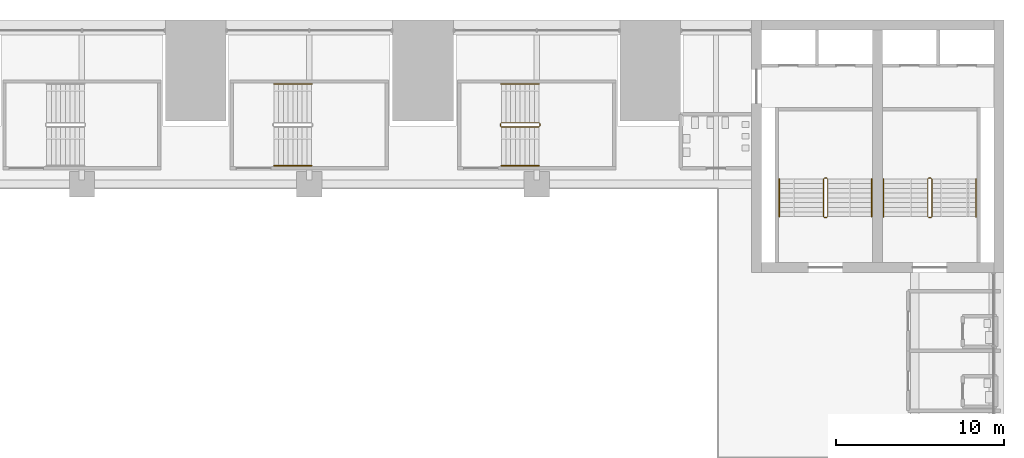
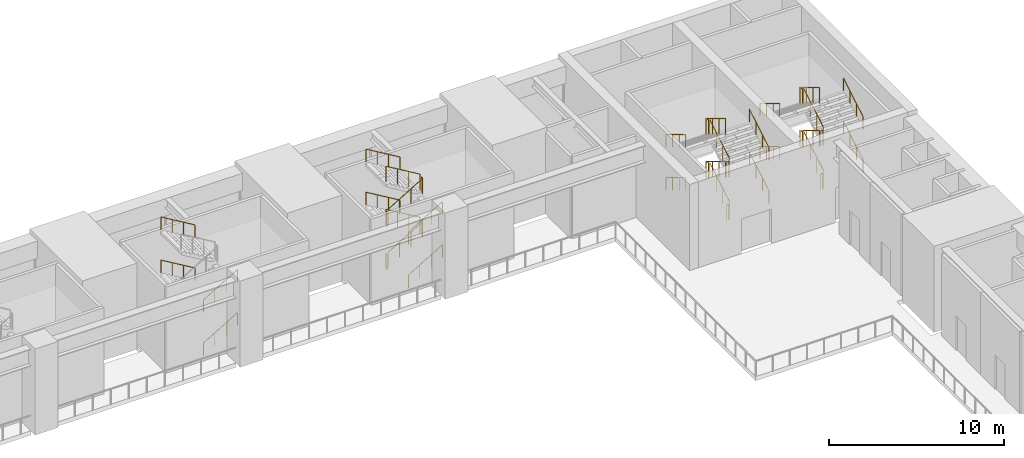
# One storey, part 42 of 43: 7 railings.
"""IFC4 building model written with IfcOpenShell, lengths in metres."""

import ifcopenshell
import ifcopenshell.guid

model = None  # the IFC model being written
_history = None  # IfcOwnerHistory: only IFC2X3 demands one
_inside = {}  # id of a spatial element -> (the spatial element, [elements in it])
_under = {}  # id of a project, library or spatial element -> (it, [spatial elements below it])
_declared = {}  # id of a project -> (the project, [libraries it declares])
_typed = {}  # id of a type object -> (the type object, [elements of that type])
_made_of = {}  # id of a material, layer set ... -> (it, [elements and type objects made of it])


def new_model(schema):
    """Start an empty IFC model of exactly this schema.

    Asked for "IFC4X3", IfcOpenShell would pick the latest addendum, in which some entities
    have other attributes; the version numbers below select the first issue.
    IFC2X3 requires an IfcOwnerHistory on every rooted entity: one is made here for all.
    """
    global model, _history
    if schema == "IFC4X3":
        model = ifcopenshell.file(schema_version=(4, 3, 0, 0))
    else:
        model = ifcopenshell.file(schema=schema)
    _inside.clear()
    _under.clear()
    _declared.clear()
    _typed.clear()
    _made_of.clear()
    _history = None
    if model.schema == "IFC2X3":
        org = make("IfcOrganization", Name="unknown")
        user = make(
            "IfcPersonAndOrganization",
            ThePerson=make("IfcPerson", FamilyName="unknown"),
            TheOrganization=org,
        )
        app = make(
            "IfcApplication",
            ApplicationDeveloper=org,
            Version="unknown",
            ApplicationFullName="unknown",
            ApplicationIdentifier="unknown",
        )
        _history = make(
            "IfcOwnerHistory",
            OwningUser=user,
            OwningApplication=app,
            ChangeAction="ADDED",
            CreationDate=0,
        )
    return model


def make(cls, **values):
    """One entity of the class cls with the attributes given. An attribute that is None is left unset."""
    return model.create_entity(
        cls, **{name: value for name, value in values.items() if value is not None}
    )


def rooted(cls, **values):
    """An entity with a GlobalId (a new one), such as an element, a storey or a relation."""
    return make(cls, GlobalId=ifcopenshell.guid.new(), OwnerHistory=_history, **values)


def si_unit(unit_type, name, prefix=None):
    """IfcSIUnit, for example si_unit("LENGTHUNIT", "METRE", prefix="MILLI")."""
    return make("IfcSIUnit", UnitType=unit_type, Prefix=prefix, Name=name)


def assignment(units):
    """IfcUnitAssignment: the units of a project."""
    return None if units is None else make("IfcUnitAssignment", Units=units)


def point(xyz):
    """IfcCartesianPoint."""
    return None if xyz is None else make("IfcCartesianPoint", Coordinates=xyz)


def direction(xyz):
    """IfcDirection."""
    return None if xyz is None else make("IfcDirection", DirectionRatios=xyz)


def frame(location, z_axis=None, x_axis=None):
    """IfcAxis2Placement3D, a coordinate frame: its origin and axes. An axis left out is left unset."""
    return make(
        "IfcAxis2Placement3D",
        Location=point(location),
        Axis=direction(z_axis),
        RefDirection=direction(x_axis),
    )


def frame_2d(location, x_axis=None):
    """IfcAxis2Placement2D, a coordinate frame in the plane: its origin and x axis."""
    return make(
        "IfcAxis2Placement2D", Location=point(location), RefDirection=direction(x_axis)
    )


def origin():
    """The frame at (0, 0, 0) with its axes left unset."""
    return frame((0.0, 0.0, 0.0))


def origin_2d():
    """The frame at (0, 0) in the plane with its x axis left unset."""
    return frame_2d((0.0, 0.0))


def place(relative_to, where):
    """IfcLocalPlacement: puts the frame where relative to a parent placement (None: the world)."""
    return make(
        "IfcLocalPlacement", PlacementRelTo=relative_to, RelativePlacement=where
    )


def context(
    kind, dimensions, precision=None, world=None, true_north=None, identifier=None
):
    """IfcGeometricRepresentationContext, for example the 3D "Model" context."""
    return make(
        "IfcGeometricRepresentationContext",
        ContextIdentifier=identifier,
        ContextType=kind,
        CoordinateSpaceDimension=dimensions,
        Precision=precision,
        WorldCoordinateSystem=world,
        TrueNorth=true_north,
    )


def subcontext(parent, identifier, kind, view, scale=None):
    """IfcGeometricRepresentationSubContext, for example "Body" below "Model"."""
    return make(
        "IfcGeometricRepresentationSubContext",
        ContextIdentifier=identifier,
        ContextType=kind,
        ParentContext=parent,
        TargetScale=scale,
        TargetView=view,
    )


def project(units=None, contexts=None):
    """IfcProject with its units and contexts."""
    return rooted(
        "IfcProject",
        Name="project",
        RepresentationContexts=contexts,
        UnitsInContext=assignment(units),
    )


def spatial(cls, under=None, at=None, **own):
    """A site, building, storey or space (cls), placed at a placement, below another one or the project."""
    s = rooted(cls, ObjectPlacement=at, **own)
    if under is not None:
        _under.setdefault(under.id(), (under, []))[1].append(s)
    return s


def profile(cls, at=None, kind="AREA", **sizes):
    """A parametric profile (cls). Its sizes go by their IFC names, for example OverallWidth=200.0."""
    return make(cls, ProfileType=kind, Position=at, **sizes)


def circle(**sizes):
    """IfcCircleProfileDef."""
    return profile("IfcCircleProfileDef", **sizes)


def extrude(swept, where, along, depth):
    """IfcExtrudedAreaSolid: the profile swept, set in the frame where, extruded along a direction by depth."""
    return make(
        "IfcExtrudedAreaSolid",
        SweptArea=swept,
        Position=where,
        ExtrudedDirection=direction(along),
        Depth=depth,
    )


def shape(context_of_items, identifier, shape_type, items):
    """IfcShapeRepresentation: the items that make up one representation, for example the "Body"."""
    return make(
        "IfcShapeRepresentation",
        ContextOfItems=context_of_items,
        RepresentationIdentifier=identifier,
        RepresentationType=shape_type,
        Items=items,
    )


def material(Name=None, Category=None):
    """IfcMaterial."""
    return make("IfcMaterial", Name=Name, Category=Category)


def made_of(thing, what):
    """Note that an element or type object is made of a material, layer set ...; save() writes the relation."""
    if what is not None:
        _made_of.setdefault(what.id(), (what, []))[1].append(thing)
    return thing


def type_object(cls, material=None, **own):
    """A type object (cls), such as IfcWallType, which elements share."""
    return made_of(rooted(cls, **own), material)


def element(
    cls,
    number,
    at=None,
    inside=None,
    cuts=None,
    type_object=None,
    material=None,
    context=None,
    identifier="Body",
    shape_type=None,
    held_by="IfcProductDefinitionShape",
    body=None,
    shapes=None,
    **own,
):
    """One element of the class cls, such as IfcWall. Its Tag is "e" and its number.

    at: its placement. inside: the storey or other place that contains it. cuts: it is an
    opening in that element (IfcRelVoidsElement). A single representation is given by context,
    identifier, shape_type and body (its items); several are given by shapes. held_by: the class
    of the entity that holds the representations. save() writes the other relations.
    """
    e = rooted(cls, Tag="e%d" % number, ObjectPlacement=at, **own)
    if body is not None:
        shapes = [shape(context, identifier, shape_type, body)]
    if shapes is not None:
        e.Representation = make(held_by, Representations=shapes)
    if inside is not None:
        _inside.setdefault(inside.id(), (inside, []))[1].append(e)
    if cuts is not None:
        rooted(
            "IfcRelVoidsElement", RelatingBuildingElement=cuts, RelatedOpeningElement=e
        )
    if type_object is not None:
        _typed.setdefault(type_object.id(), (type_object, []))[1].append(e)
    return made_of(e, material)


def aggregate(whole, parts):
    """IfcRelAggregates: a whole, such as a stair, and the parts it consists of."""
    return rooted("IfcRelAggregates", RelatingObject=whole, RelatedObjects=parts)


def save(model, path):
    """Write the relations noted so far, then the file.

    IfcRelAggregates (storeys below a building ...), IfcRelContainedInSpatialStructure (elements
    in a storey), IfcRelDefinesByType, IfcRelAssociatesMaterial and IfcRelDeclares: one each for
    every whole, place, type object, material and project.
    """
    for whole, parts in _under.values():
        aggregate(whole, parts)
    for where, things in _inside.values():
        rooted(
            "IfcRelContainedInSpatialStructure",
            RelatedElements=things,
            RelatingStructure=where,
        )
    for kind, things in _typed.values():
        rooted("IfcRelDefinesByType", RelatedObjects=things, RelatingType=kind)
    for what, things in _made_of.values():
        rooted("IfcRelAssociatesMaterial", RelatedObjects=things, RelatingMaterial=what)
    for by, libraries in _declared.values():
        rooted("IfcRelDeclares", RelatingContext=by, RelatedDefinitions=libraries)
    model.write(path)


model = new_model("IFC4")

# Units and contexts
model_context = context("Model", 3, precision=1e-05, world=origin(), true_north=direction((0.0, 1.0)))
body_context = subcontext(model_context, "Body", "Model", "MODEL_VIEW")
ifc_project = project(units=[si_unit("LENGTHUNIT", "METRE"), si_unit("AREAUNIT", "SQUARE_METRE"), si_unit("VOLUMEUNIT", "CUBIC_METRE"), si_unit("PLANEANGLEUNIT", "RADIAN"), si_unit("MASSUNIT", "GRAM", prefix="KILO")], contexts=[model_context])

# Site, building, storey
site_placement = place(None, origin())
site = spatial("IfcSite", under=ifc_project, at=site_placement, CompositionType="ELEMENT")
building_placement = place(site_placement, origin())
building = spatial("IfcBuilding", under=site, at=building_placement, Name="Corbelhall Arena Tower", CompositionType="ELEMENT")
storey_placement = place(building_placement, frame((0.0, 0.0, 25.0)))
storey = spatial("IfcBuildingStorey", under=building, at=storey_placement, Name="L03", CompositionType="ELEMENT", Elevation=25.0)

# Railings
ifc_material = material(Name="Stainless steel A4", Category="steel")
railing_type_1 = type_object("IfcRailingType", Name="AR-STAIR-GUARD", PredefinedType="GUARDRAIL", material=ifc_material)
railing_1_placement = place(storey_placement, frame((18.14990234375, 32.64990234375, 0.166748046875)))
element("IfcRailing", 1, at=railing_1_placement, inside=storey, type_object=railing_type_1, Name="L03 AS12 stair guards", PredefinedType="GUARDRAIL", context=body_context, shape_type="SweptSolid", body=[
    extrude(circle(Radius=0.02392578125, at=origin_2d()), frame((0.0, 0.0, 1.076171875), z_axis=(0.859305625298, 0.0, 0.511462454469), x_axis=(0.0, 1.0, 0.0)), (0.0, 0.0, 1.0), 2.606689453125),
    extrude(circle(Radius=0.02392578125, at=origin_2d()), frame((2.2900390625, 0.050048828125, 2.4091796875), z_axis=(0.0, 1.0, 0.0), x_axis=(-1.0, 0.0, 0.0)), (0.0, 0.0, 1.0), 0.150146484375),
    extrude(circle(Radius=0.02392578125, at=origin_2d()), frame((2.239990234375, 0.25, 2.576171875), z_axis=(-0.859305625298, 0.0, 0.511462454469), x_axis=(0.0, -1.0, 0.0)), (0.0, 0.0, 1.0), 2.606689453125),
    extrude(circle(Radius=0.02392578125, at=origin_2d()), frame((-0.0498046875, 0.050048828125, 3.9091796875), z_axis=(0.0, 1.0, 0.0), x_axis=(-1.0, 0.0, 0.0)), (0.0, 0.0, 1.0), 0.150146484375),
    extrude(circle(Radius=0.02392578125, at=origin_2d()), frame((0.0, 0.0, 4.076171875), z_axis=(0.859305625298, 0.0, 0.511462454469), x_axis=(0.0, 1.0, 0.0)), (0.0, 0.0, 1.0), 2.606689453125),
    extrude(circle(Radius=0.02392578125, at=origin_2d()), frame((2.2900390625, 0.050048828125, 5.4091796875), z_axis=(0.0, 1.0, 0.0), x_axis=(-1.0, 0.0, 0.0)), (0.0, 0.0, 1.0), 0.150146484375),
    extrude(circle(Radius=0.02392578125, at=origin_2d()), frame((2.239990234375, 0.25, 5.576171875), z_axis=(-0.859305625298, 0.0, 0.511462454469), x_axis=(0.0, -1.0, 0.0)), (0.0, 0.0, 1.0), 2.606689453125),
    extrude(circle(Radius=0.02392578125, at=origin_2d()), frame((-0.0498046875, 0.050048828125, 0.9091796875), z_axis=(0.0, 1.0, 0.0), x_axis=(-1.0, 0.0, 0.0)), (0.0, 0.0, 1.0), 0.150146484375),
    extrude(circle(Radius=0.02099609375, at=origin_2d()), origin(), (0.0, 0.0, 1.0), 1.052001953125),
    extrude(circle(Radius=0.02099609375, at=origin_2d()), frame((0.74658203125, 0.0, 0.4443359375)), (0.0, 0.0, 1.0), 1.052001953125),
    extrude(circle(Radius=0.02099609375, at=origin_2d()), frame((1.493408203125, 0.0, 0.888916015625)), (0.0, 0.0, 1.0), 1.052001953125),
    extrude(circle(Radius=0.02099609375, at=origin_2d()), frame((2.239990234375, 0.0, 1.333251953125)), (0.0, 0.0, 1.0), 1.052001953125),
    extrude(circle(Radius=0.02099609375, at=origin_2d()), frame((2.2900390625, 0.050048828125, 1.333251953125)), (0.0, 0.0, 1.0), 1.052001953125),
    extrude(circle(Radius=0.02099609375, at=origin_2d()), frame((2.2900390625, 0.2001953125, 1.333251953125)), (0.0, 0.0, 1.0), 1.052001953125),
    extrude(circle(Radius=0.02099609375, at=origin_2d()), frame((2.239990234375, 0.25, 1.5)), (0.0, 0.0, 1.0), 1.052001953125),
    extrude(circle(Radius=0.02099609375, at=origin_2d()), frame((1.493408203125, 0.25, 1.9443359375)), (0.0, 0.0, 1.0), 1.052001953125),
    extrude(circle(Radius=0.02099609375, at=origin_2d()), frame((0.74658203125, 0.25, 2.388916015625)), (0.0, 0.0, 1.0), 1.052001953125),
    extrude(circle(Radius=0.02099609375, at=origin_2d()), frame((0.0, 0.25, 2.833251953125)), (0.0, 0.0, 1.0), 1.052001953125),
    extrude(circle(Radius=0.02099609375, at=origin_2d()), frame((-0.0498046875, 0.050048828125, 2.833251953125)), (0.0, 0.0, 1.0), 1.052001953125),
    extrude(circle(Radius=0.02099609375, at=origin_2d()), frame((-0.0498046875, 0.2001953125, 2.833251953125)), (0.0, 0.0, 1.0), 1.052001953125),
    extrude(circle(Radius=0.02099609375, at=origin_2d()), frame((0.0, 0.0, 3.0)), (0.0, 0.0, 1.0), 1.052001953125),
    extrude(circle(Radius=0.02099609375, at=origin_2d()), frame((0.74658203125, 0.0, 3.4443359375)), (0.0, 0.0, 1.0), 1.052001953125),
    extrude(circle(Radius=0.02099609375, at=origin_2d()), frame((1.493408203125, 0.0, 3.888916015625)), (0.0, 0.0, 1.0), 1.052001953125),
    extrude(circle(Radius=0.02099609375, at=origin_2d()), frame((2.239990234375, 0.0, 4.333251953125)), (0.0, 0.0, 1.0), 1.052001953125),
    extrude(circle(Radius=0.02099609375, at=origin_2d()), frame((2.2900390625, 0.050048828125, 4.333251953125)), (0.0, 0.0, 1.0), 1.052001953125),
    extrude(circle(Radius=0.02099609375, at=origin_2d()), frame((2.2900390625, 0.2001953125, 4.333251953125)), (0.0, 0.0, 1.0), 1.052001953125),
    extrude(circle(Radius=0.02099609375, at=origin_2d()), frame((2.239990234375, 0.25, 4.5)), (0.0, 0.0, 1.0), 1.052001953125),
    extrude(circle(Radius=0.02099609375, at=origin_2d()), frame((1.493408203125, 0.25, 4.9443359375)), (0.0, 0.0, 1.0), 1.052001953125),
    extrude(circle(Radius=0.02099609375, at=origin_2d()), frame((0.74658203125, 0.25, 5.388916015625)), (0.0, 0.0, 1.0), 1.052001953125),
    extrude(circle(Radius=0.02099609375, at=origin_2d()), frame((0.0, 0.25, 5.833251953125)), (0.0, 0.0, 1.0), 1.052001953125),
    extrude(circle(Radius=0.02099609375, at=origin_2d()), frame((-0.0498046875, 0.050048828125, -0.166748046875)), (0.0, 0.0, 1.0), 1.052001953125),
    extrude(circle(Radius=0.02099609375, at=origin_2d()), frame((-0.0498046875, 0.2001953125, -0.166748046875)), (0.0, 0.0, 1.0), 1.052001953125),
])
railing_2_placement = place(storey_placement, frame((37.530029296875, 27.320068359375, 0.166748046875)))
element("IfcRailing", 2, at=railing_2_placement, inside=storey, type_object=railing_type_1, Name="L03 AS1 stair guards", PredefinedType="GUARDRAIL", context=body_context, shape_type="SweptSolid", body=[
    extrude(circle(Radius=0.02392578125, at=origin_2d()), frame((0.0, 0.0, 1.076171875), z_axis=(0.0, 0.859305625298, 0.511462454469), x_axis=(-1.0, 0.0, 0.0)), (0.0, 0.0, 1.0), 2.606689453125),
    extrude(circle(Radius=0.02392578125, at=origin_2d()), frame((-0.050048828125, 2.2900390625, 2.4091796875), z_axis=(-1.0, 0.0, 0.0), x_axis=(0.0, -1.0, 0.0)), (0.0, 0.0, 1.0), 0.14990234375),
    extrude(circle(Radius=0.02392578125, at=origin_2d()), frame((-0.25, 2.239990234375, 2.576171875), z_axis=(0.0, -0.859305625298, 0.511462454469), x_axis=(1.0, 0.0, 0.0)), (0.0, 0.0, 1.0), 2.606689453125),
    extrude(circle(Radius=0.02392578125, at=origin_2d()), frame((-0.050048828125, -0.050048828125, 3.9091796875), z_axis=(-1.0, 0.0, 0.0), x_axis=(0.0, -1.0, 0.0)), (0.0, 0.0, 1.0), 0.14990234375),
    extrude(circle(Radius=0.02392578125, at=origin_2d()), frame((0.0, 0.0, 4.076171875), z_axis=(0.0, 0.859305625298, 0.511462454469), x_axis=(-1.0, 0.0, 0.0)), (0.0, 0.0, 1.0), 2.606689453125),
    extrude(circle(Radius=0.02392578125, at=origin_2d()), frame((-0.050048828125, 2.2900390625, 5.4091796875), z_axis=(-1.0, 0.0, 0.0), x_axis=(0.0, -1.0, 0.0)), (0.0, 0.0, 1.0), 0.14990234375),
    extrude(circle(Radius=0.02392578125, at=origin_2d()), frame((-0.25, 2.239990234375, 5.576171875), z_axis=(0.0, -0.859305625298, 0.511462454469), x_axis=(1.0, 0.0, 0.0)), (0.0, 0.0, 1.0), 2.606689453125),
    extrude(circle(Radius=0.02392578125, at=origin_2d()), frame((-0.050048828125, -0.050048828125, 0.9091796875), z_axis=(-1.0, 0.0, 0.0), x_axis=(0.0, -1.0, 0.0)), (0.0, 0.0, 1.0), 0.14990234375),
    extrude(circle(Radius=0.02099609375, at=origin_2d()), origin(), (0.0, 0.0, 1.0), 1.052001953125),
    extrude(circle(Radius=0.02099609375, at=origin_2d()), frame((0.0, 0.74658203125, 0.4443359375)), (0.0, 0.0, 1.0), 1.052001953125),
    extrude(circle(Radius=0.02099609375, at=origin_2d()), frame((0.0, 1.493408203125, 0.888916015625)), (0.0, 0.0, 1.0), 1.052001953125),
    extrude(circle(Radius=0.02099609375, at=origin_2d()), frame((0.0, 2.239990234375, 1.333251953125)), (0.0, 0.0, 1.0), 1.052001953125),
    extrude(circle(Radius=0.02099609375, at=origin_2d()), frame((-0.050048828125, 2.2900390625, 1.333251953125)), (0.0, 0.0, 1.0), 1.052001953125),
    extrude(circle(Radius=0.02099609375, at=origin_2d()), frame((-0.199951171875, 2.2900390625, 1.333251953125)), (0.0, 0.0, 1.0), 1.052001953125),
    extrude(circle(Radius=0.02099609375, at=origin_2d()), frame((-0.25, 2.239990234375, 1.5)), (0.0, 0.0, 1.0), 1.052001953125),
    extrude(circle(Radius=0.02099609375, at=origin_2d()), frame((-0.25, 1.493408203125, 1.9443359375)), (0.0, 0.0, 1.0), 1.052001953125),
    extrude(circle(Radius=0.02099609375, at=origin_2d()), frame((-0.25, 0.74658203125, 2.388916015625)), (0.0, 0.0, 1.0), 1.052001953125),
    extrude(circle(Radius=0.02099609375, at=origin_2d()), frame((-0.25, 0.0, 2.833251953125)), (0.0, 0.0, 1.0), 1.052001953125),
    extrude(circle(Radius=0.02099609375, at=origin_2d()), frame((-0.050048828125, -0.050048828125, 2.833251953125)), (0.0, 0.0, 1.0), 1.052001953125),
    extrude(circle(Radius=0.02099609375, at=origin_2d()), frame((-0.199951171875, -0.050048828125, 2.833251953125)), (0.0, 0.0, 1.0), 1.052001953125),
    extrude(circle(Radius=0.02099609375, at=origin_2d()), frame((0.0, 0.0, 3.0)), (0.0, 0.0, 1.0), 1.052001953125),
    extrude(circle(Radius=0.02099609375, at=origin_2d()), frame((0.0, 0.74658203125, 3.4443359375)), (0.0, 0.0, 1.0), 1.052001953125),
    extrude(circle(Radius=0.02099609375, at=origin_2d()), frame((0.0, 1.493408203125, 3.888916015625)), (0.0, 0.0, 1.0), 1.052001953125),
    extrude(circle(Radius=0.02099609375, at=origin_2d()), frame((0.0, 2.239990234375, 4.333251953125)), (0.0, 0.0, 1.0), 1.052001953125),
    extrude(circle(Radius=0.02099609375, at=origin_2d()), frame((-0.050048828125, 2.2900390625, 4.333251953125)), (0.0, 0.0, 1.0), 1.052001953125),
    extrude(circle(Radius=0.02099609375, at=origin_2d()), frame((-0.199951171875, 2.2900390625, 4.333251953125)), (0.0, 0.0, 1.0), 1.052001953125),
    extrude(circle(Radius=0.02099609375, at=origin_2d()), frame((-0.25, 2.239990234375, 4.5)), (0.0, 0.0, 1.0), 1.052001953125),
    extrude(circle(Radius=0.02099609375, at=origin_2d()), frame((-0.25, 1.493408203125, 4.9443359375)), (0.0, 0.0, 1.0), 1.052001953125),
    extrude(circle(Radius=0.02099609375, at=origin_2d()), frame((-0.25, 0.74658203125, 5.388916015625)), (0.0, 0.0, 1.0), 1.052001953125),
    extrude(circle(Radius=0.02099609375, at=origin_2d()), frame((-0.25, 0.0, 5.833251953125)), (0.0, 0.0, 1.0), 1.052001953125),
    extrude(circle(Radius=0.02099609375, at=origin_2d()), frame((-0.050048828125, -0.050048828125, -0.166748046875)), (0.0, 0.0, 1.0), 1.052001953125),
    extrude(circle(Radius=0.02099609375, at=origin_2d()), frame((-0.199951171875, -0.050048828125, -0.166748046875)), (0.0, 0.0, 1.0), 1.052001953125),
])
railing_3_placement = place(storey_placement, frame((43.719970703125, 27.320068359375, 0.166748046875)))
element("IfcRailing", 3, at=railing_3_placement, inside=storey, type_object=railing_type_1, Name="L03 AS2 stair guards", PredefinedType="GUARDRAIL", context=body_context, shape_type="SweptSolid", body=[
    extrude(circle(Radius=0.02392578125, at=origin_2d()), frame((0.0, 0.0, 1.076171875), z_axis=(0.0, 0.859305625298, 0.511462454469), x_axis=(-1.0, 0.0, 0.0)), (0.0, 0.0, 1.0), 2.606689453125),
    extrude(circle(Radius=0.02392578125, at=origin_2d()), frame((-0.050048828125, 2.2900390625, 2.4091796875), z_axis=(-1.0, 0.0, 0.0), x_axis=(0.0, -1.0, 0.0)), (0.0, 0.0, 1.0), 0.14990234375),
    extrude(circle(Radius=0.02392578125, at=origin_2d()), frame((-0.25, 2.239990234375, 2.576171875), z_axis=(0.0, -0.859305625298, 0.511462454469), x_axis=(1.0, 0.0, 0.0)), (0.0, 0.0, 1.0), 2.606689453125),
    extrude(circle(Radius=0.02392578125, at=origin_2d()), frame((-0.050048828125, -0.050048828125, 3.9091796875), z_axis=(-1.0, 0.0, 0.0), x_axis=(0.0, -1.0, 0.0)), (0.0, 0.0, 1.0), 0.14990234375),
    extrude(circle(Radius=0.02392578125, at=origin_2d()), frame((0.0, 0.0, 4.076171875), z_axis=(0.0, 0.859305625298, 0.511462454469), x_axis=(-1.0, 0.0, 0.0)), (0.0, 0.0, 1.0), 2.606689453125),
    extrude(circle(Radius=0.02392578125, at=origin_2d()), frame((-0.050048828125, 2.2900390625, 5.4091796875), z_axis=(-1.0, 0.0, 0.0), x_axis=(0.0, -1.0, 0.0)), (0.0, 0.0, 1.0), 0.14990234375),
    extrude(circle(Radius=0.02392578125, at=origin_2d()), frame((-0.25, 2.239990234375, 5.576171875), z_axis=(0.0, -0.859305625298, 0.511462454469), x_axis=(1.0, 0.0, 0.0)), (0.0, 0.0, 1.0), 2.606689453125),
    extrude(circle(Radius=0.02392578125, at=origin_2d()), frame((-0.050048828125, -0.050048828125, 0.9091796875), z_axis=(-1.0, 0.0, 0.0), x_axis=(0.0, -1.0, 0.0)), (0.0, 0.0, 1.0), 0.14990234375),
    extrude(circle(Radius=0.02099609375, at=origin_2d()), origin(), (0.0, 0.0, 1.0), 1.052001953125),
    extrude(circle(Radius=0.02099609375, at=origin_2d()), frame((0.0, 0.74658203125, 0.4443359375)), (0.0, 0.0, 1.0), 1.052001953125),
    extrude(circle(Radius=0.02099609375, at=origin_2d()), frame((0.0, 1.493408203125, 0.888916015625)), (0.0, 0.0, 1.0), 1.052001953125),
    extrude(circle(Radius=0.02099609375, at=origin_2d()), frame((0.0, 2.239990234375, 1.333251953125)), (0.0, 0.0, 1.0), 1.052001953125),
    extrude(circle(Radius=0.02099609375, at=origin_2d()), frame((-0.050048828125, 2.2900390625, 1.333251953125)), (0.0, 0.0, 1.0), 1.052001953125),
    extrude(circle(Radius=0.02099609375, at=origin_2d()), frame((-0.199951171875, 2.2900390625, 1.333251953125)), (0.0, 0.0, 1.0), 1.052001953125),
    extrude(circle(Radius=0.02099609375, at=origin_2d()), frame((-0.25, 2.239990234375, 1.5)), (0.0, 0.0, 1.0), 1.052001953125),
    extrude(circle(Radius=0.02099609375, at=origin_2d()), frame((-0.25, 1.493408203125, 1.9443359375)), (0.0, 0.0, 1.0), 1.052001953125),
    extrude(circle(Radius=0.02099609375, at=origin_2d()), frame((-0.25, 0.74658203125, 2.388916015625)), (0.0, 0.0, 1.0), 1.052001953125),
    extrude(circle(Radius=0.02099609375, at=origin_2d()), frame((-0.25, 0.0, 2.833251953125)), (0.0, 0.0, 1.0), 1.052001953125),
    extrude(circle(Radius=0.02099609375, at=origin_2d()), frame((-0.050048828125, -0.050048828125, 2.833251953125)), (0.0, 0.0, 1.0), 1.052001953125),
    extrude(circle(Radius=0.02099609375, at=origin_2d()), frame((-0.199951171875, -0.050048828125, 2.833251953125)), (0.0, 0.0, 1.0), 1.052001953125),
    extrude(circle(Radius=0.02099609375, at=origin_2d()), frame((0.0, 0.0, 3.0)), (0.0, 0.0, 1.0), 1.052001953125),
    extrude(circle(Radius=0.02099609375, at=origin_2d()), frame((0.0, 0.74658203125, 3.4443359375)), (0.0, 0.0, 1.0), 1.052001953125),
    extrude(circle(Radius=0.02099609375, at=origin_2d()), frame((0.0, 1.493408203125, 3.888916015625)), (0.0, 0.0, 1.0), 1.052001953125),
    extrude(circle(Radius=0.02099609375, at=origin_2d()), frame((0.0, 2.239990234375, 4.333251953125)), (0.0, 0.0, 1.0), 1.052001953125),
    extrude(circle(Radius=0.02099609375, at=origin_2d()), frame((-0.050048828125, 2.2900390625, 4.333251953125)), (0.0, 0.0, 1.0), 1.052001953125),
    extrude(circle(Radius=0.02099609375, at=origin_2d()), frame((-0.199951171875, 2.2900390625, 4.333251953125)), (0.0, 0.0, 1.0), 1.052001953125),
    extrude(circle(Radius=0.02099609375, at=origin_2d()), frame((-0.25, 2.239990234375, 4.5)), (0.0, 0.0, 1.0), 1.052001953125),
    extrude(circle(Radius=0.02099609375, at=origin_2d()), frame((-0.25, 1.493408203125, 4.9443359375)), (0.0, 0.0, 1.0), 1.052001953125),
    extrude(circle(Radius=0.02099609375, at=origin_2d()), frame((-0.25, 0.74658203125, 5.388916015625)), (0.0, 0.0, 1.0), 1.052001953125),
    extrude(circle(Radius=0.02099609375, at=origin_2d()), frame((-0.25, 0.0, 5.833251953125)), (0.0, 0.0, 1.0), 1.052001953125),
    extrude(circle(Radius=0.02099609375, at=origin_2d()), frame((-0.050048828125, -0.050048828125, -0.166748046875)), (0.0, 0.0, 1.0), 1.052001953125),
    extrude(circle(Radius=0.02099609375, at=origin_2d()), frame((-0.199951171875, -0.050048828125, -0.166748046875)), (0.0, 0.0, 1.0), 1.052001953125),
])
railing_type_2 = type_object("IfcRailingType", Name="AR-STAIR-HANDRAIL", PredefinedType="HANDRAIL", material=ifc_material)
railing_4_placement = place(storey_placement, frame((4.64990234375, 30.35009765625, 0.166748046875)))
element("IfcRailing", 4, at=railing_4_placement, inside=storey, type_object=railing_type_2, Name="L03 AS11 stair handrails", PredefinedType="HANDRAIL", context=body_context, shape_type="SweptSolid", body=[
    extrude(circle(Radius=0.02392578125, at=origin_2d()), frame((0.0, 0.0, 0.8759765625), z_axis=(0.859305625298, 0.0, 0.511462454469), x_axis=(0.0, 1.0, 0.0)), (0.0, 0.0, 1.0), 2.606689453125),
    extrude(circle(Radius=0.02392578125, at=origin_2d()), frame((2.239990234375, 4.849853515625, 2.3759765625), z_axis=(-0.859305625298, 0.0, 0.511462454469), x_axis=(0.0, -1.0, 0.0)), (0.0, 0.0, 1.0), 2.606689453125),
    extrude(circle(Radius=0.02392578125, at=origin_2d()), frame((0.0, 0.0, 3.8759765625), z_axis=(0.859305625298, 0.0, 0.511462454469), x_axis=(0.0, 1.0, 0.0)), (0.0, 0.0, 1.0), 2.606689453125),
    extrude(circle(Radius=0.02392578125, at=origin_2d()), frame((2.239990234375, 4.849853515625, 5.3759765625), z_axis=(-0.859305625298, 0.0, 0.511462454469), x_axis=(0.0, -1.0, 0.0)), (0.0, 0.0, 1.0), 2.606689453125),
    extrude(circle(Radius=0.02099609375, at=origin_2d()), origin(), (0.0, 0.0, 1.0), 0.851806640625),
    extrude(circle(Radius=0.02099609375, at=origin_2d()), frame((0.74658203125, 0.0, 0.4443359375)), (0.0, 0.0, 1.0), 0.851806640625),
    extrude(circle(Radius=0.02099609375, at=origin_2d()), frame((1.493408203125, 0.0, 0.888916015625)), (0.0, 0.0, 1.0), 0.851806640625),
    extrude(circle(Radius=0.02099609375, at=origin_2d()), frame((2.239990234375, 0.0, 1.333251953125)), (0.0, 0.0, 1.0), 0.851806640625),
    extrude(circle(Radius=0.02099609375, at=origin_2d()), frame((2.239990234375, 4.849853515625, 1.5)), (0.0, 0.0, 1.0), 0.851806640625),
    extrude(circle(Radius=0.02099609375, at=origin_2d()), frame((1.493408203125, 4.849853515625, 1.9443359375)), (0.0, 0.0, 1.0), 0.851806640625),
    extrude(circle(Radius=0.02099609375, at=origin_2d()), frame((0.74658203125, 4.849853515625, 2.388916015625)), (0.0, 0.0, 1.0), 0.851806640625),
    extrude(circle(Radius=0.02099609375, at=origin_2d()), frame((0.0, 4.849853515625, 2.833251953125)), (0.0, 0.0, 1.0), 0.851806640625),
    extrude(circle(Radius=0.02099609375, at=origin_2d()), frame((0.0, 0.0, 3.0)), (0.0, 0.0, 1.0), 0.851806640625),
    extrude(circle(Radius=0.02099609375, at=origin_2d()), frame((0.74658203125, 0.0, 3.4443359375)), (0.0, 0.0, 1.0), 0.851806640625),
    extrude(circle(Radius=0.02099609375, at=origin_2d()), frame((1.493408203125, 0.0, 3.888916015625)), (0.0, 0.0, 1.0), 0.851806640625),
    extrude(circle(Radius=0.02099609375, at=origin_2d()), frame((2.239990234375, 0.0, 4.333251953125)), (0.0, 0.0, 1.0), 0.851806640625),
    extrude(circle(Radius=0.02099609375, at=origin_2d()), frame((2.239990234375, 4.849853515625, 4.5)), (0.0, 0.0, 1.0), 0.851806640625),
    extrude(circle(Radius=0.02099609375, at=origin_2d()), frame((1.493408203125, 4.849853515625, 4.9443359375)), (0.0, 0.0, 1.0), 0.851806640625),
    extrude(circle(Radius=0.02099609375, at=origin_2d()), frame((0.74658203125, 4.849853515625, 5.388916015625)), (0.0, 0.0, 1.0), 0.851806640625),
    extrude(circle(Radius=0.02099609375, at=origin_2d()), frame((0.0, 4.849853515625, 5.833251953125)), (0.0, 0.0, 1.0), 0.851806640625),
])
railing_5_placement = place(storey_placement, frame((18.14990234375, 30.35009765625, 0.166748046875)))
element("IfcRailing", 5, at=railing_5_placement, inside=storey, type_object=railing_type_2, Name="L03 AS12 stair handrails", PredefinedType="HANDRAIL", context=body_context, shape_type="SweptSolid", body=[
    extrude(circle(Radius=0.02392578125, at=origin_2d()), frame((0.0, 0.0, 0.8759765625), z_axis=(0.859305625298, 0.0, 0.511462454469), x_axis=(0.0, 1.0, 0.0)), (0.0, 0.0, 1.0), 2.606689453125),
    extrude(circle(Radius=0.02392578125, at=origin_2d()), frame((2.239990234375, 4.849853515625, 2.3759765625), z_axis=(-0.859305625298, 0.0, 0.511462454469), x_axis=(0.0, -1.0, 0.0)), (0.0, 0.0, 1.0), 2.606689453125),
    extrude(circle(Radius=0.02392578125, at=origin_2d()), frame((0.0, 0.0, 3.8759765625), z_axis=(0.859305625298, 0.0, 0.511462454469), x_axis=(0.0, 1.0, 0.0)), (0.0, 0.0, 1.0), 2.606689453125),
    extrude(circle(Radius=0.02392578125, at=origin_2d()), frame((2.239990234375, 4.849853515625, 5.3759765625), z_axis=(-0.859305625298, 0.0, 0.511462454469), x_axis=(0.0, -1.0, 0.0)), (0.0, 0.0, 1.0), 2.606689453125),
    extrude(circle(Radius=0.02099609375, at=origin_2d()), origin(), (0.0, 0.0, 1.0), 0.851806640625),
    extrude(circle(Radius=0.02099609375, at=origin_2d()), frame((0.74658203125, 0.0, 0.4443359375)), (0.0, 0.0, 1.0), 0.851806640625),
    extrude(circle(Radius=0.02099609375, at=origin_2d()), frame((1.493408203125, 0.0, 0.888916015625)), (0.0, 0.0, 1.0), 0.851806640625),
    extrude(circle(Radius=0.02099609375, at=origin_2d()), frame((2.239990234375, 0.0, 1.333251953125)), (0.0, 0.0, 1.0), 0.851806640625),
    extrude(circle(Radius=0.02099609375, at=origin_2d()), frame((2.239990234375, 4.849853515625, 1.5)), (0.0, 0.0, 1.0), 0.851806640625),
    extrude(circle(Radius=0.02099609375, at=origin_2d()), frame((1.493408203125, 4.849853515625, 1.9443359375)), (0.0, 0.0, 1.0), 0.851806640625),
    extrude(circle(Radius=0.02099609375, at=origin_2d()), frame((0.74658203125, 4.849853515625, 2.388916015625)), (0.0, 0.0, 1.0), 0.851806640625),
    extrude(circle(Radius=0.02099609375, at=origin_2d()), frame((0.0, 4.849853515625, 2.833251953125)), (0.0, 0.0, 1.0), 0.851806640625),
    extrude(circle(Radius=0.02099609375, at=origin_2d()), frame((0.0, 0.0, 3.0)), (0.0, 0.0, 1.0), 0.851806640625),
    extrude(circle(Radius=0.02099609375, at=origin_2d()), frame((0.74658203125, 0.0, 3.4443359375)), (0.0, 0.0, 1.0), 0.851806640625),
    extrude(circle(Radius=0.02099609375, at=origin_2d()), frame((1.493408203125, 0.0, 3.888916015625)), (0.0, 0.0, 1.0), 0.851806640625),
    extrude(circle(Radius=0.02099609375, at=origin_2d()), frame((2.239990234375, 0.0, 4.333251953125)), (0.0, 0.0, 1.0), 0.851806640625),
    extrude(circle(Radius=0.02099609375, at=origin_2d()), frame((2.239990234375, 4.849853515625, 4.5)), (0.0, 0.0, 1.0), 0.851806640625),
    extrude(circle(Radius=0.02099609375, at=origin_2d()), frame((1.493408203125, 4.849853515625, 4.9443359375)), (0.0, 0.0, 1.0), 0.851806640625),
    extrude(circle(Radius=0.02099609375, at=origin_2d()), frame((0.74658203125, 4.849853515625, 5.388916015625)), (0.0, 0.0, 1.0), 0.851806640625),
    extrude(circle(Radius=0.02099609375, at=origin_2d()), frame((0.0, 4.849853515625, 5.833251953125)), (0.0, 0.0, 1.0), 0.851806640625),
])
railing_6_placement = place(storey_placement, frame((40.14990234375, 27.320068359375, 0.166748046875)))
element("IfcRailing", 6, at=railing_6_placement, inside=storey, type_object=railing_type_2, Name="L03 AS1 stair handrails", PredefinedType="HANDRAIL", context=body_context, shape_type="SweptSolid", body=[
    extrude(circle(Radius=0.02392578125, at=origin_2d()), frame((0.0, 0.0, 0.8759765625), z_axis=(0.0, 0.859305625298, 0.511462454469), x_axis=(-1.0, 0.0, 0.0)), (0.0, 0.0, 1.0), 2.606689453125),
    extrude(circle(Radius=0.02392578125, at=origin_2d()), frame((-5.489990234375, 2.239990234375, 2.3759765625), z_axis=(0.0, -0.859305625298, 0.511462454469), x_axis=(1.0, 0.0, 0.0)), (0.0, 0.0, 1.0), 2.606689453125),
    extrude(circle(Radius=0.02392578125, at=origin_2d()), frame((0.0, 0.0, 3.8759765625), z_axis=(0.0, 0.859305625298, 0.511462454469), x_axis=(-1.0, 0.0, 0.0)), (0.0, 0.0, 1.0), 2.606689453125),
    extrude(circle(Radius=0.02392578125, at=origin_2d()), frame((-5.489990234375, 2.239990234375, 5.3759765625), z_axis=(0.0, -0.859305625298, 0.511462454469), x_axis=(1.0, 0.0, 0.0)), (0.0, 0.0, 1.0), 2.606689453125),
    extrude(circle(Radius=0.02099609375, at=origin_2d()), origin(), (0.0, 0.0, 1.0), 0.851806640625),
    extrude(circle(Radius=0.02099609375, at=origin_2d()), frame((0.0, 0.74658203125, 0.4443359375)), (0.0, 0.0, 1.0), 0.851806640625),
    extrude(circle(Radius=0.02099609375, at=origin_2d()), frame((0.0, 1.493408203125, 0.888916015625)), (0.0, 0.0, 1.0), 0.851806640625),
    extrude(circle(Radius=0.02099609375, at=origin_2d()), frame((0.0, 2.239990234375, 1.333251953125)), (0.0, 0.0, 1.0), 0.851806640625),
    extrude(circle(Radius=0.02099609375, at=origin_2d()), frame((-5.489990234375, 2.239990234375, 1.5)), (0.0, 0.0, 1.0), 0.851806640625),
    extrude(circle(Radius=0.02099609375, at=origin_2d()), frame((-5.489990234375, 1.493408203125, 1.9443359375)), (0.0, 0.0, 1.0), 0.851806640625),
    extrude(circle(Radius=0.02099609375, at=origin_2d()), frame((-5.489990234375, 0.74658203125, 2.388916015625)), (0.0, 0.0, 1.0), 0.851806640625),
    extrude(circle(Radius=0.02099609375, at=origin_2d()), frame((-5.489990234375, 0.0, 2.833251953125)), (0.0, 0.0, 1.0), 0.851806640625),
    extrude(circle(Radius=0.02099609375, at=origin_2d()), frame((0.0, 0.0, 3.0)), (0.0, 0.0, 1.0), 0.851806640625),
    extrude(circle(Radius=0.02099609375, at=origin_2d()), frame((0.0, 0.74658203125, 3.4443359375)), (0.0, 0.0, 1.0), 0.851806640625),
    extrude(circle(Radius=0.02099609375, at=origin_2d()), frame((0.0, 1.493408203125, 3.888916015625)), (0.0, 0.0, 1.0), 0.851806640625),
    extrude(circle(Radius=0.02099609375, at=origin_2d()), frame((0.0, 2.239990234375, 4.333251953125)), (0.0, 0.0, 1.0), 0.851806640625),
    extrude(circle(Radius=0.02099609375, at=origin_2d()), frame((-5.489990234375, 2.239990234375, 4.5)), (0.0, 0.0, 1.0), 0.851806640625),
    extrude(circle(Radius=0.02099609375, at=origin_2d()), frame((-5.489990234375, 1.493408203125, 4.9443359375)), (0.0, 0.0, 1.0), 0.851806640625),
    extrude(circle(Radius=0.02099609375, at=origin_2d()), frame((-5.489990234375, 0.74658203125, 5.388916015625)), (0.0, 0.0, 1.0), 0.851806640625),
    extrude(circle(Radius=0.02099609375, at=origin_2d()), frame((-5.489990234375, 0.0, 5.833251953125)), (0.0, 0.0, 1.0), 0.851806640625),
])
railing_7_placement = place(storey_placement, frame((46.340087890625, 27.320068359375, 0.166748046875)))
element("IfcRailing", 7, at=railing_7_placement, inside=storey, type_object=railing_type_2, Name="L03 AS2 stair handrails", PredefinedType="HANDRAIL", context=body_context, shape_type="SweptSolid", body=[
    extrude(circle(Radius=0.02392578125, at=origin_2d()), frame((0.0, 0.0, 0.8759765625), z_axis=(0.0, 0.859305625298, 0.511462454469), x_axis=(-1.0, 0.0, 0.0)), (0.0, 0.0, 1.0), 2.606689453125),
    extrude(circle(Radius=0.02392578125, at=origin_2d()), frame((-5.489990234375, 2.239990234375, 2.3759765625), z_axis=(0.0, -0.859305625298, 0.511462454469), x_axis=(1.0, 0.0, 0.0)), (0.0, 0.0, 1.0), 2.606689453125),
    extrude(circle(Radius=0.02392578125, at=origin_2d()), frame((0.0, 0.0, 3.8759765625), z_axis=(0.0, 0.859305625298, 0.511462454469), x_axis=(-1.0, 0.0, 0.0)), (0.0, 0.0, 1.0), 2.606689453125),
    extrude(circle(Radius=0.02392578125, at=origin_2d()), frame((-5.489990234375, 2.239990234375, 5.3759765625), z_axis=(0.0, -0.859305625298, 0.511462454469), x_axis=(1.0, 0.0, 0.0)), (0.0, 0.0, 1.0), 2.606689453125),
    extrude(circle(Radius=0.02099609375, at=origin_2d()), origin(), (0.0, 0.0, 1.0), 0.851806640625),
    extrude(circle(Radius=0.02099609375, at=origin_2d()), frame((0.0, 0.74658203125, 0.4443359375)), (0.0, 0.0, 1.0), 0.851806640625),
    extrude(circle(Radius=0.02099609375, at=origin_2d()), frame((0.0, 1.493408203125, 0.888916015625)), (0.0, 0.0, 1.0), 0.851806640625),
    extrude(circle(Radius=0.02099609375, at=origin_2d()), frame((0.0, 2.239990234375, 1.333251953125)), (0.0, 0.0, 1.0), 0.851806640625),
    extrude(circle(Radius=0.02099609375, at=origin_2d()), frame((-5.489990234375, 2.239990234375, 1.5)), (0.0, 0.0, 1.0), 0.851806640625),
    extrude(circle(Radius=0.02099609375, at=origin_2d()), frame((-5.489990234375, 1.493408203125, 1.9443359375)), (0.0, 0.0, 1.0), 0.851806640625),
    extrude(circle(Radius=0.02099609375, at=origin_2d()), frame((-5.489990234375, 0.74658203125, 2.388916015625)), (0.0, 0.0, 1.0), 0.851806640625),
    extrude(circle(Radius=0.02099609375, at=origin_2d()), frame((-5.489990234375, 0.0, 2.833251953125)), (0.0, 0.0, 1.0), 0.851806640625),
    extrude(circle(Radius=0.02099609375, at=origin_2d()), frame((0.0, 0.0, 3.0)), (0.0, 0.0, 1.0), 0.851806640625),
    extrude(circle(Radius=0.02099609375, at=origin_2d()), frame((0.0, 0.74658203125, 3.4443359375)), (0.0, 0.0, 1.0), 0.851806640625),
    extrude(circle(Radius=0.02099609375, at=origin_2d()), frame((0.0, 1.493408203125, 3.888916015625)), (0.0, 0.0, 1.0), 0.851806640625),
    extrude(circle(Radius=0.02099609375, at=origin_2d()), frame((0.0, 2.239990234375, 4.333251953125)), (0.0, 0.0, 1.0), 0.851806640625),
    extrude(circle(Radius=0.02099609375, at=origin_2d()), frame((-5.489990234375, 2.239990234375, 4.5)), (0.0, 0.0, 1.0), 0.851806640625),
    extrude(circle(Radius=0.02099609375, at=origin_2d()), frame((-5.489990234375, 1.493408203125, 4.9443359375)), (0.0, 0.0, 1.0), 0.851806640625),
    extrude(circle(Radius=0.02099609375, at=origin_2d()), frame((-5.489990234375, 0.74658203125, 5.388916015625)), (0.0, 0.0, 1.0), 0.851806640625),
    extrude(circle(Radius=0.02099609375, at=origin_2d()), frame((-5.489990234375, 0.0, 5.833251953125)), (0.0, 0.0, 1.0), 0.851806640625),
])

save(model, "model.ifc")
